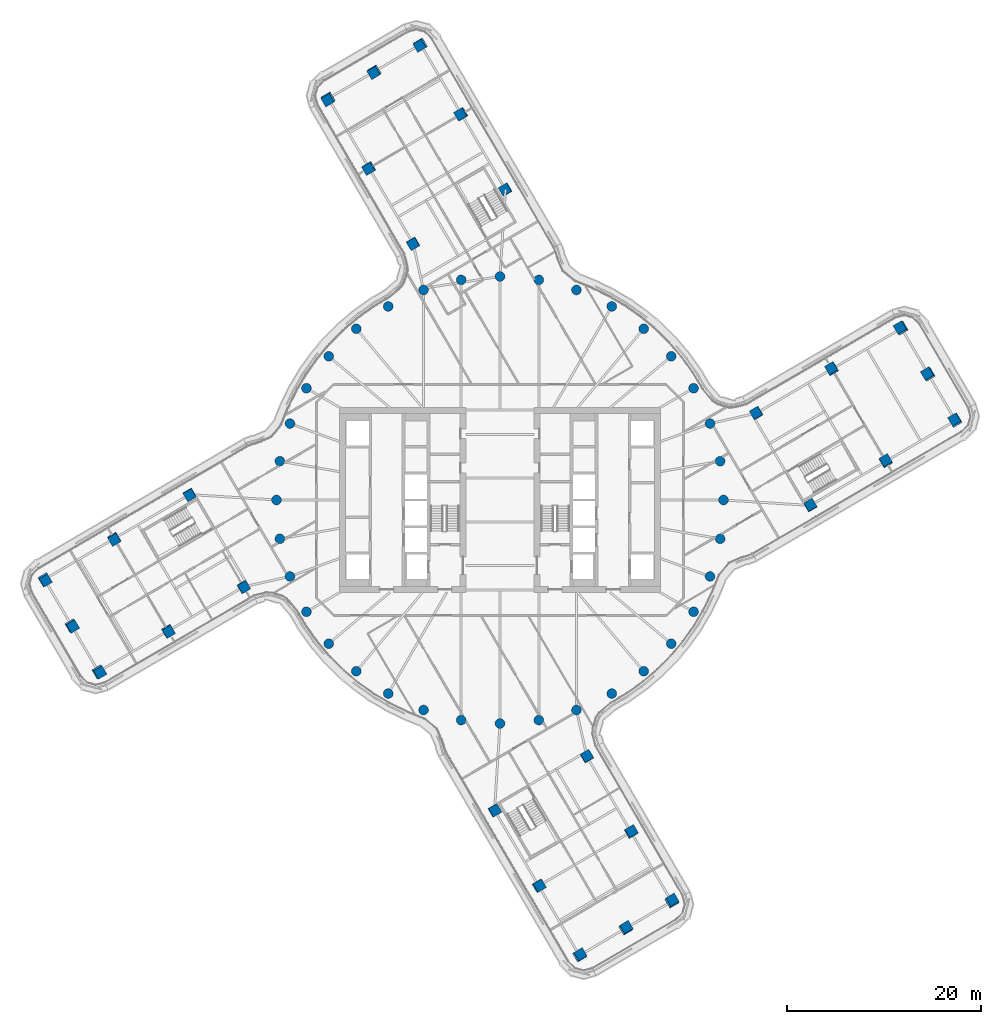
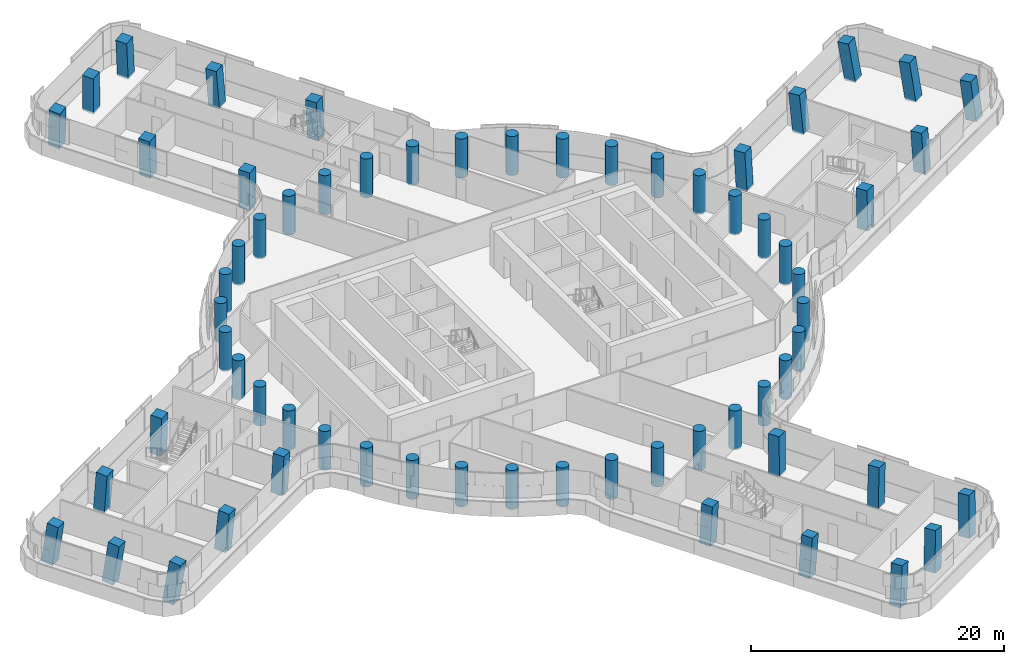
# One storey, part 1 of 35: 64 columns.
"""IFC4 building model written with IfcOpenShell, lengths in metres."""

from ifc_helpers import new_model, si_unit, direction, frame, origin, origin_2d, place, context, subcontext, project, spatial, rectangle, circle, extrude, material, material_profile, profile_set, type_object, element, save


model = new_model("IFC4")

# Units and contexts
model_context = context("Model", 3, precision=1e-05, world=origin(), true_north=direction((0.0, 1.0)))
body_context = subcontext(model_context, "Body", "Model", "MODEL_VIEW")
ifc_project = project(units=[si_unit("LENGTHUNIT", "METRE"), si_unit("AREAUNIT", "SQUARE_METRE"), si_unit("VOLUMEUNIT", "CUBIC_METRE"), si_unit("PLANEANGLEUNIT", "RADIAN"), si_unit("MASSUNIT", "GRAM", prefix="KILO")], contexts=[model_context])

# Site, building, storey
site_placement = place(None, origin())
site = spatial("IfcSite", under=ifc_project, at=site_placement, CompositionType="ELEMENT")
building_placement = place(site_placement, origin())
building = spatial("IfcBuilding", under=site, at=building_placement, Name="Tamarind Cross Interchange Tower", CompositionType="ELEMENT")
storey_placement = place(building_placement, frame((0.0, 0.0, 144.25)))
storey = spatial("IfcBuildingStorey", under=building, at=storey_placement, Name="L35", CompositionType="ELEMENT", Elevation=144.25)

# Columns
ifc_material = material(Name="Concrete C60", Category="concrete")
ifc_material_profile_1 = material_profile(ifc_material, rectangle(XDim=1.0, YDim=1.0, at=origin_2d()), Name="RC 1000x1000")
ifc_profile_set_1 = profile_set([ifc_material_profile_1], Name="Concrete C60")
column_type_1 = type_object("IfcColumnType", Name="Column RC 1000x1000 Concrete C60", PredefinedType="COLUMN", material=ifc_profile_set_1)
for number, where, z_axis, x_axis, name in (
    (1, (34.161865234375, 13.476806640625, -0.138427734375), (-0.06581546621, 0.058351187498, 0.996124220831), (0.501490782341, -0.861116651724, 0.083576954662), "Column L35-036"),
    (2, (39.711669921875, 3.9794921875, -0.138427734375), (-0.020056241161, 0.08561223978, 0.996126644353), (-0.863665461091, -0.503400857895, 0.025875617651), "Column L35-037"),
):
    element("IfcColumn", number, at=place(storey_placement, frame(where, z_axis=z_axis, x_axis=x_axis)), inside=storey, type_object=column_type_1, Name=name, PredefinedType="COLUMN", context=body_context, shape_type="SweptSolid", body=[
        extrude(rectangle(XDim=1.0, YDim=1.0, at=origin_2d()), origin(), (0.0, 0.0, 1.0), 3.761474609375),
    ])
for number, where, z_axis, x_axis, name in (
    (3, (26.391357421875, 8.936279296875, -0.138671875), (-0.043600009334, 0.020888959696, 0.998830661598), (0.504374638489, -0.862555380263, 0.04005546191), "Column L35-038"),
    (4, (31.941162109375, -0.561279296875, -0.138671875), (0.002277606, 0.048350321647, 0.998827842477), (-0.863268009241, -0.504056596211, 0.02636839086), "Column L35-039"),
):
    element("IfcColumn", number, at=place(storey_placement, frame(where, z_axis=z_axis, x_axis=x_axis)), inside=storey, type_object=column_type_1, Name=name, PredefinedType="COLUMN", context=body_context, shape_type="SweptSolid", body=[
        extrude(rectangle(XDim=1.0, YDim=1.0, at=origin_2d()), origin(), (0.0, 0.0, 1.0), 3.751708984375),
    ])
column_1_placement = place(storey_placement, frame((46.87060546875, 8.162841796875, -0.138427734375), z_axis=(-0.088948828835, 0.09004855981, 0.991957339166), x_axis=(0.498981254112, -0.857893658898, 0.122622094534)))
element("IfcColumn", 5, at=column_1_placement, inside=storey, type_object=column_type_1, Name="Column L35-040", PredefinedType="COLUMN", context=body_context, shape_type="SweptSolid", body=[
    extrude(rectangle(XDim=1.0, YDim=1.0, at=origin_2d()), origin(), (0.0, 0.0, 1.0), 3.77392578125),
])
column_2_placement = place(storey_placement, frame((44.095947265625, 12.91162109375, -0.13818359375), z_axis=(-0.111669171964, 0.076384815545, 0.99080540773), x_axis=(0.497778474101, -0.858638345979, 0.122297921223)))
element("IfcColumn", 6, at=column_2_placement, inside=storey, type_object=column_type_1, Name="Column L35-041", PredefinedType="COLUMN", context=body_context, shape_type="SweptSolid", body=[
    extrude(rectangle(XDim=1.0, YDim=1.0, at=origin_2d()), origin(), (0.0, 0.0, 1.0), 3.77783203125),
])
column_3_placement = place(storey_placement, frame((41.321044921875, 17.660400390625, -0.13818359375), z_axis=(-0.134168569669, 0.062633500552, 0.988977168352), x_axis=(0.496657324889, -0.859357627808, 0.121802993241)))
element("IfcColumn", 7, at=column_3_placement, inside=storey, type_object=column_type_1, Name="Column L35-042", PredefinedType="COLUMN", context=body_context, shape_type="SweptSolid", body=[
    extrude(rectangle(XDim=1.0, YDim=1.0, at=origin_2d()), origin(), (0.0, 0.0, 1.0), 3.784912109375),
])
for number, where, z_axis, x_axis, name in (
    (8, (-13.476806640625, 34.161865234375, -0.138427734375), (-0.058351187498, -0.06581546621, 0.996124220831), (0.861116651724, 0.501490782341, 0.083576954662), "Column L35-043"),
    (9, (-3.9794921875, 39.711669921875, -0.138427734375), (-0.08561223978, -0.020056241161, 0.996126644353), (0.503400857895, -0.863665461091, 0.025875617651), "Column L35-044"),
):
    element("IfcColumn", number, at=place(storey_placement, frame(where, z_axis=z_axis, x_axis=x_axis)), inside=storey, type_object=column_type_1, Name=name, PredefinedType="COLUMN", context=body_context, shape_type="SweptSolid", body=[
        extrude(rectangle(XDim=1.0, YDim=1.0, at=origin_2d()), origin(), (0.0, 0.0, 1.0), 3.761474609375),
    ])
for number, where, z_axis, x_axis, name in (
    (10, (-8.936279296875, 26.391357421875, -0.138671875), (-0.020888959696, -0.043600009334, 0.998830661598), (0.862555380263, 0.504374638489, 0.04005546191), "Column L35-045"),
    (11, (0.561279296875, 31.941162109375, -0.138671875), (-0.048350321647, 0.002277606, 0.998827842477), (0.504056596211, -0.863268009241, 0.02636839086), "Column L35-046"),
):
    element("IfcColumn", number, at=place(storey_placement, frame(where, z_axis=z_axis, x_axis=x_axis)), inside=storey, type_object=column_type_1, Name=name, PredefinedType="COLUMN", context=body_context, shape_type="SweptSolid", body=[
        extrude(rectangle(XDim=1.0, YDim=1.0, at=origin_2d()), origin(), (0.0, 0.0, 1.0), 3.751708984375),
    ])
column_4_placement = place(storey_placement, frame((-8.162841796875, 46.87060546875, -0.138427734375), z_axis=(-0.09004855981, -0.088948828835, 0.991957339166), x_axis=(0.857893658898, 0.498981254112, 0.122622094534)))
element("IfcColumn", 12, at=column_4_placement, inside=storey, type_object=column_type_1, Name="Column L35-047", PredefinedType="COLUMN", context=body_context, shape_type="SweptSolid", body=[
    extrude(rectangle(XDim=1.0, YDim=1.0, at=origin_2d()), origin(), (0.0, 0.0, 1.0), 3.77392578125),
])
column_5_placement = place(storey_placement, frame((-12.91162109375, 44.095947265625, -0.13818359375), z_axis=(-0.076384815545, -0.111669171964, 0.99080540773), x_axis=(0.858638345979, 0.497778474101, 0.122297921223)))
element("IfcColumn", 13, at=column_5_placement, inside=storey, type_object=column_type_1, Name="Column L35-048", PredefinedType="COLUMN", context=body_context, shape_type="SweptSolid", body=[
    extrude(rectangle(XDim=1.0, YDim=1.0, at=origin_2d()), origin(), (0.0, 0.0, 1.0), 3.77783203125),
])
column_6_placement = place(storey_placement, frame((-17.660400390625, 41.321044921875, -0.13818359375), z_axis=(-0.062633500552, -0.134168569669, 0.988977168352), x_axis=(0.859357627808, 0.496657324889, 0.121802993241)))
element("IfcColumn", 14, at=column_6_placement, inside=storey, type_object=column_type_1, Name="Column L35-049", PredefinedType="COLUMN", context=body_context, shape_type="SweptSolid", body=[
    extrude(rectangle(XDim=1.0, YDim=1.0, at=origin_2d()), origin(), (0.0, 0.0, 1.0), 3.784912109375),
])
for number, where, z_axis, x_axis, name in (
    (15, (-34.161865234375, -13.476806640625, -0.138427734375), (0.06581546621, -0.058351187498, 0.996124220831), (-0.501490782341, 0.861116651724, 0.083576954662), "Column L35-050"),
    (16, (-39.711669921875, -3.9794921875, -0.138427734375), (0.020056241161, -0.08561223978, 0.996126644353), (0.863665461091, 0.503400857895, 0.025875617651), "Column L35-051"),
):
    element("IfcColumn", number, at=place(storey_placement, frame(where, z_axis=z_axis, x_axis=x_axis)), inside=storey, type_object=column_type_1, Name=name, PredefinedType="COLUMN", context=body_context, shape_type="SweptSolid", body=[
        extrude(rectangle(XDim=1.0, YDim=1.0, at=origin_2d()), origin(), (0.0, 0.0, 1.0), 3.761474609375),
    ])
for number, where, z_axis, x_axis, name in (
    (17, (-26.391357421875, -8.936279296875, -0.138671875), (0.043600009334, -0.020888959696, 0.998830661598), (-0.504374638489, 0.862555380263, 0.04005546191), "Column L35-052"),
    (18, (-31.941162109375, 0.561279296875, -0.138671875), (-0.002277606, -0.048350321647, 0.998827842477), (0.863268009241, 0.504056596211, 0.02636839086), "Column L35-053"),
):
    element("IfcColumn", number, at=place(storey_placement, frame(where, z_axis=z_axis, x_axis=x_axis)), inside=storey, type_object=column_type_1, Name=name, PredefinedType="COLUMN", context=body_context, shape_type="SweptSolid", body=[
        extrude(rectangle(XDim=1.0, YDim=1.0, at=origin_2d()), origin(), (0.0, 0.0, 1.0), 3.751708984375),
    ])
column_7_placement = place(storey_placement, frame((-46.87060546875, -8.162841796875, -0.138427734375), z_axis=(0.088948828835, -0.09004855981, 0.991957339166), x_axis=(-0.498981254112, 0.857893658898, 0.122622094534)))
element("IfcColumn", 19, at=column_7_placement, inside=storey, type_object=column_type_1, Name="Column L35-054", PredefinedType="COLUMN", context=body_context, shape_type="SweptSolid", body=[
    extrude(rectangle(XDim=1.0, YDim=1.0, at=origin_2d()), origin(), (0.0, 0.0, 1.0), 3.77392578125),
])
column_8_placement = place(storey_placement, frame((-44.095947265625, -12.91162109375, -0.13818359375), z_axis=(0.111669171964, -0.076384815545, 0.99080540773), x_axis=(-0.497778474101, 0.858638345979, 0.122297921223)))
element("IfcColumn", 20, at=column_8_placement, inside=storey, type_object=column_type_1, Name="Column L35-055", PredefinedType="COLUMN", context=body_context, shape_type="SweptSolid", body=[
    extrude(rectangle(XDim=1.0, YDim=1.0, at=origin_2d()), origin(), (0.0, 0.0, 1.0), 3.77783203125),
])
column_9_placement = place(storey_placement, frame((-41.321044921875, -17.660400390625, -0.13818359375), z_axis=(0.134168569669, -0.062633500552, 0.988977168352), x_axis=(-0.496657324889, 0.859357627808, 0.121802993241)))
element("IfcColumn", 21, at=column_9_placement, inside=storey, type_object=column_type_1, Name="Column L35-056", PredefinedType="COLUMN", context=body_context, shape_type="SweptSolid", body=[
    extrude(rectangle(XDim=1.0, YDim=1.0, at=origin_2d()), origin(), (0.0, 0.0, 1.0), 3.784912109375),
])
for number, where, z_axis, x_axis, name in (
    (22, (13.476806640625, -34.161865234375, -0.138427734375), (0.058351187498, 0.06581546621, 0.996124220831), (-0.861116651724, -0.501490782341, 0.083576954662), "Column L35-057"),
    (23, (3.9794921875, -39.711669921875, -0.138427734375), (0.08561223978, 0.020056241161, 0.996126644353), (-0.503400857895, 0.863665461091, 0.025875617651), "Column L35-058"),
):
    element("IfcColumn", number, at=place(storey_placement, frame(where, z_axis=z_axis, x_axis=x_axis)), inside=storey, type_object=column_type_1, Name=name, PredefinedType="COLUMN", context=body_context, shape_type="SweptSolid", body=[
        extrude(rectangle(XDim=1.0, YDim=1.0, at=origin_2d()), origin(), (0.0, 0.0, 1.0), 3.761474609375),
    ])
for number, where, z_axis, x_axis, name in (
    (24, (8.936279296875, -26.391357421875, -0.138671875), (0.020888959696, 0.043600009334, 0.998830661598), (-0.862555380263, -0.504374638489, 0.04005546191), "Column L35-059"),
    (25, (-0.561279296875, -31.941162109375, -0.138671875), (0.048350321647, -0.002277606, 0.998827842477), (-0.504056596211, 0.863268009241, 0.02636839086), "Column L35-060"),
):
    element("IfcColumn", number, at=place(storey_placement, frame(where, z_axis=z_axis, x_axis=x_axis)), inside=storey, type_object=column_type_1, Name=name, PredefinedType="COLUMN", context=body_context, shape_type="SweptSolid", body=[
        extrude(rectangle(XDim=1.0, YDim=1.0, at=origin_2d()), origin(), (0.0, 0.0, 1.0), 3.751708984375),
    ])
column_10_placement = place(storey_placement, frame((8.162841796875, -46.87060546875, -0.138427734375), z_axis=(0.09004855981, 0.088948828835, 0.991957339166), x_axis=(-0.857893658898, -0.498981254112, 0.122622094534)))
element("IfcColumn", 26, at=column_10_placement, inside=storey, type_object=column_type_1, Name="Column L35-061", PredefinedType="COLUMN", context=body_context, shape_type="SweptSolid", body=[
    extrude(rectangle(XDim=1.0, YDim=1.0, at=origin_2d()), origin(), (0.0, 0.0, 1.0), 3.77392578125),
])
column_11_placement = place(storey_placement, frame((12.91162109375, -44.095947265625, -0.13818359375), z_axis=(0.076384815545, 0.111669171964, 0.99080540773), x_axis=(-0.858638345979, -0.497778474101, 0.122297921223)))
element("IfcColumn", 27, at=column_11_placement, inside=storey, type_object=column_type_1, Name="Column L35-062", PredefinedType="COLUMN", context=body_context, shape_type="SweptSolid", body=[
    extrude(rectangle(XDim=1.0, YDim=1.0, at=origin_2d()), origin(), (0.0, 0.0, 1.0), 3.77783203125),
])
column_12_placement = place(storey_placement, frame((17.660400390625, -41.321044921875, -0.13818359375), z_axis=(0.062633500552, 0.134168569669, 0.988977168352), x_axis=(-0.859357627808, -0.496657324889, 0.121802993241)))
element("IfcColumn", 28, at=column_12_placement, inside=storey, type_object=column_type_1, Name="Column L35-063", PredefinedType="COLUMN", context=body_context, shape_type="SweptSolid", body=[
    extrude(rectangle(XDim=1.0, YDim=1.0, at=origin_2d()), origin(), (0.0, 0.0, 1.0), 3.784912109375),
])
ifc_material_profile_2 = material_profile(ifc_material, circle(Radius=0.5, at=origin_2d()), Name="RC D1000")
ifc_profile_set_2 = profile_set([ifc_material_profile_2], Name="Concrete C60")
column_type_2 = type_object("IfcColumnType", Name="Column RC D1000 Concrete C60", PredefinedType="COLUMN", material=ifc_profile_set_2)
for number, where, z_axis, x_axis, name in (
    (29, (23.0, 0.0, -0.139892578125), (0.0, 0.0, 1.0), (1.0, 0.0, 0.0), "Column L35-000"),
    (30, (22.650634765625, 3.993896484375, -0.139892578125), (0.0, 0.0, 1.0), (1.0, 0.0, 0.0), "Column L35-001"),
    (31, (21.613037109375, 7.866455078125, -0.139892578125), (0.0, 0.0, 1.0), (1.0, 0.0, 0.0), "Column L35-002"),
    (32, (19.918701171875, 11.5, -0.139892578125), (0.0, 0.0, 1.0), (1.0, 0.0, 0.0), "Column L35-003"),
    (33, (17.619140625, 14.7841796875, -0.139892578125), (0.0, 0.0, 1.0), (1.0, 0.0, 0.0), "Column L35-004"),
    (34, (14.7841796875, 17.619140625, -0.139892578125), (0.0, 0.0, 1.0), (1.0, 0.0, 0.0), "Column L35-005"),
    (35, (11.5, 19.918701171875, -0.139892578125), (0.0, 0.0, 1.0), (1.0, 0.0, 0.0), "Column L35-006"),
    (36, (7.866455078125, 21.613037109375, -0.139892578125), (0.0, 0.0, 1.0), (1.0, 0.0, 0.0), "Column L35-007"),
    (37, (3.993896484375, 22.650634765625, -0.139892578125), (0.0, 0.0, 1.0), (1.0, 0.0, 0.0), "Column L35-008"),
    (38, (0.0, 23.0, -0.139892578125), (0.0, 0.0, 1.0), (1.0, 0.0, 0.0), "Column L35-009"),
    (39, (-3.993896484375, 22.650634765625, -0.139892578125), (0.0, 0.0, 1.0), (1.0, 0.0, 0.0), "Column L35-010"),
    (40, (-7.866455078125, 21.613037109375, -0.139892578125), (0.0, 0.0, 1.0), (1.0, 0.0, 0.0), "Column L35-011"),
    (41, (-11.5, 19.918701171875, -0.139892578125), (0.0, 0.0, 1.0), (1.0, 0.0, 0.0), "Column L35-012"),
    (42, (-14.7841796875, 17.619140625, -0.139892578125), (0.0, 0.0, 1.0), (1.0, 0.0, 0.0), "Column L35-013"),
    (43, (-17.619140625, 14.7841796875, -0.139892578125), (0.0, 0.0, 1.0), (1.0, 0.0, 0.0), "Column L35-014"),
    (44, (-19.918701171875, 11.5, -0.139892578125), (0.0, 0.0, 1.0), (1.0, 0.0, 0.0), "Column L35-015"),
    (45, (-21.613037109375, 7.866455078125, -0.139892578125), (0.0, 0.0, 1.0), (1.0, 0.0, 0.0), "Column L35-016"),
    (46, (-22.650634765625, 3.993896484375, -0.139892578125), (0.0, 0.0, 1.0), (1.0, 0.0, 0.0), "Column L35-017"),
    (47, (-23.0, 0.0, -0.139892578125), (0.0, 0.0, 1.0), (1.0, 0.0, 0.0), "Column L35-018"),
    (48, (-22.650634765625, -3.993896484375, -0.139892578125), (0.0, 0.0, 1.0), (1.0, 0.0, 0.0), "Column L35-019"),
    (49, (-21.613037109375, -7.866455078125, -0.139892578125), (0.0, 0.0, 1.0), (1.0, 0.0, 0.0), "Column L35-020"),
    (50, (-19.918701171875, -11.5, -0.139892578125), (0.0, 0.0, 1.0), (1.0, 0.0, 0.0), "Column L35-021"),
    (51, (-17.619140625, -14.7841796875, -0.139892578125), (0.0, 0.0, 1.0), (1.0, 0.0, 0.0), "Column L35-022"),
    (52, (-14.7841796875, -17.619140625, -0.139892578125), (0.0, 0.0, 1.0), (1.0, 0.0, 0.0), "Column L35-023"),
    (53, (-11.5, -19.918701171875, -0.139892578125), (0.0, 0.0, 1.0), (1.0, 0.0, 0.0), "Column L35-024"),
    (54, (-7.866455078125, -21.613037109375, -0.139892578125), (0.0, 0.0, 1.0), (1.0, 0.0, 0.0), "Column L35-025"),
    (55, (-3.993896484375, -22.650634765625, -0.139892578125), (0.0, 0.0, 1.0), (1.0, 0.0, 0.0), "Column L35-026"),
    (56, (0.0, -23.0, -0.139892578125), (0.0, 0.0, 1.0), (1.0, 0.0, 0.0), "Column L35-027"),
    (57, (3.993896484375, -22.650634765625, -0.139892578125), (0.0, 0.0, 1.0), (1.0, 0.0, 0.0), "Column L35-028"),
    (58, (7.866455078125, -21.613037109375, -0.139892578125), (0.0, 0.0, 1.0), (1.0, 0.0, 0.0), "Column L35-029"),
    (59, (11.5, -19.918701171875, -0.139892578125), (0.0, 0.0, 1.0), (1.0, 0.0, 0.0), "Column L35-030"),
    (60, (14.7841796875, -17.619140625, -0.139892578125), (0.0, 0.0, 1.0), (1.0, 0.0, 0.0), "Column L35-031"),
    (61, (17.619140625, -14.7841796875, -0.139892578125), (0.0, 0.0, 1.0), (1.0, 0.0, 0.0), "Column L35-032"),
    (62, (19.918701171875, -11.5, -0.139892578125), (0.0, 0.0, 1.0), (1.0, 0.0, 0.0), "Column L35-033"),
    (63, (21.613037109375, -7.866455078125, -0.139892578125), (0.0, 0.0, 1.0), (1.0, 0.0, 0.0), "Column L35-034"),
    (64, (22.650634765625, -3.993896484375, -0.139892578125), (0.0, 0.0, 1.0), (1.0, 0.0, 0.0), "Column L35-035"),
):
    element("IfcColumn", number, at=place(storey_placement, frame(where, z_axis=z_axis, x_axis=x_axis)), inside=storey, type_object=column_type_2, Name=name, PredefinedType="COLUMN", context=body_context, shape_type="SweptSolid", body=[
        extrude(circle(Radius=0.5, at=origin_2d()), origin(), (0.0, 0.0, 1.0), 3.75),
    ])

save(model, "model.ifc")
